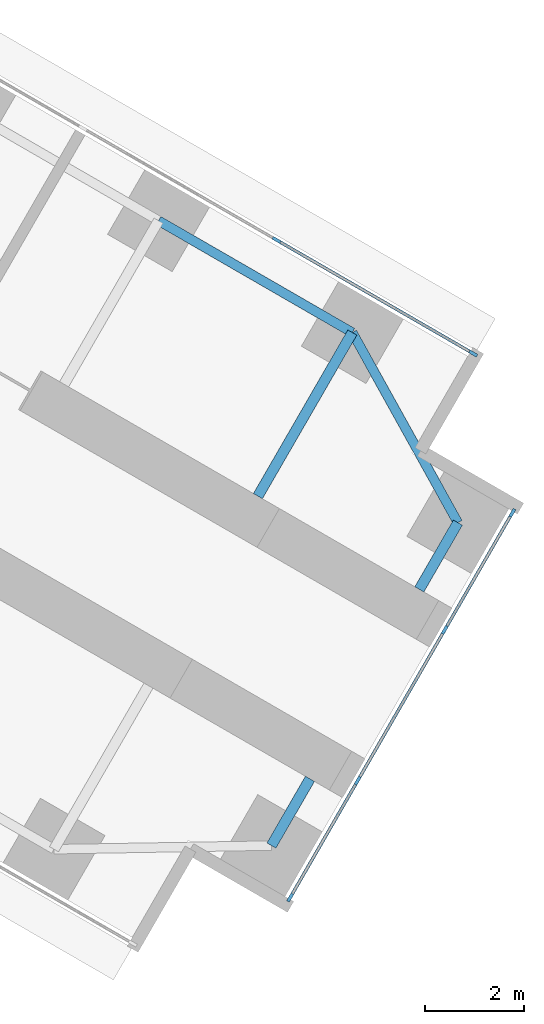
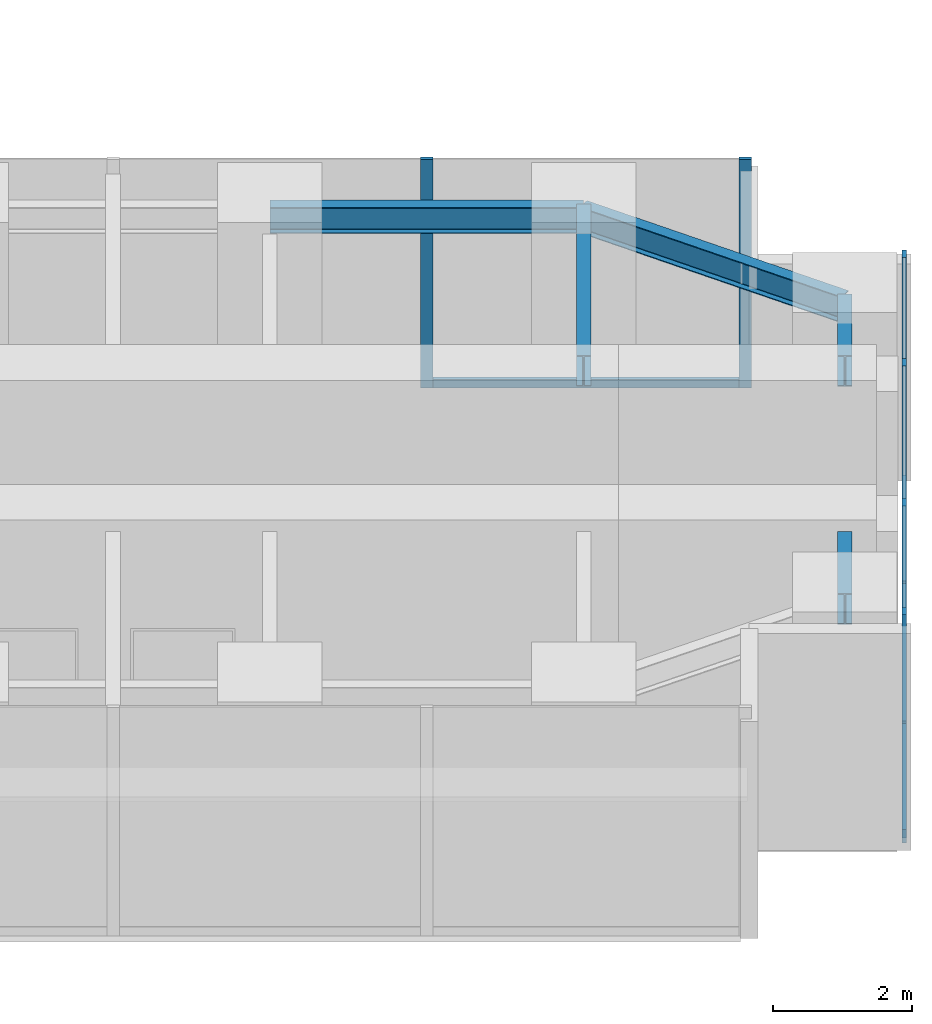
# One storey, part 12 of 22: 10 members, 5 beams, 2 elements without a shape of their own.
"""IFC4 building model written with IfcOpenShell, lengths in metres."""

from ifc_helpers import new_model, si_unit, direction, frame, origin, origin_2d, place, context, subcontext, project, spatial, rectangle, i_section, extrude, material, material_profile, profile_set, type_object, element, aggregate, save


model = new_model("IFC4")

# Units and contexts
model_context = context("Model", 3, precision=1e-05, world=origin(), true_north=direction((0.0, 1.0)))
body_context = subcontext(model_context, "Body", "Model", "MODEL_VIEW")
ifc_project = project(units=[si_unit("LENGTHUNIT", "METRE"), si_unit("AREAUNIT", "SQUARE_METRE"), si_unit("VOLUMEUNIT", "CUBIC_METRE"), si_unit("PLANEANGLEUNIT", "RADIAN"), si_unit("MASSUNIT", "GRAM", prefix="KILO")], contexts=[model_context])

# Site, building, storey
site_placement = place(None, origin())
site = spatial("IfcSite", under=ifc_project, at=site_placement, CompositionType="ELEMENT")
building_placement = place(site_placement, origin())
building = spatial("IfcBuilding", under=site, at=building_placement, Name="Upepo Twin Towers", CompositionType="ELEMENT")
storey_placement = place(building_placement, frame((0.0, 0.0, 44.5)))
storey = spatial("IfcBuildingStorey", under=building, at=storey_placement, Name="L10", CompositionType="ELEMENT", Elevation=44.5)

# Beams
ifc_material_1 = material(Name="Steel S355", Category="steel")
ifc_material_profile_1 = material_profile(ifc_material_1, i_section(OverallWidth=0.1904296875, OverallDepth=0.45703125, WebThickness=0.009033203125, FlangeThickness=0.014404296875, FilletRadius=0.01025390625, at=origin_2d()), Name="UB 457x191x74")
ifc_profile_set_1 = profile_set([ifc_material_profile_1], Name="Steel S355")
beam_type_1 = type_object("IfcBeamType", Name="Beam UB 457x191x74", PredefinedType="BEAM", material=ifc_profile_set_1)
beam_1_placement = place(storey_placement, frame((77.08837890625, -21.803955078125, 3.571533203125), z_axis=(0.866031096941, -0.499990139034, 0.0), x_axis=(0.499990139034, 0.866031096941, 0.0)))
element("IfcBeam", 1, at=beam_1_placement, inside=storey, type_object=beam_type_1, Name="T2 edge beam CL 18.0-22.5", PredefinedType="BEAM", context=body_context, shape_type="SweptSolid", body=[
    extrude(i_section(OverallWidth=0.1904296875, OverallDepth=0.45703125, WebThickness=0.009033203125, FlangeThickness=0.014404296875, FilletRadius=0.01025390625, at=origin_2d()), origin(), (0.0, 0.0, 1.0), 4.5),
])
beam_2_placement = place(storey_placement, frame((80.985595703125, -24.053955078125, 3.571533203125), z_axis=(0.485363242752, -0.874312600038, 0.0), x_axis=(0.874312600038, 0.485363242752, 0.0)))
element("IfcBeam", 2, at=beam_2_placement, inside=storey, type_object=beam_type_1, Name="T2 nose edge beam CL", PredefinedType="BEAM", context=body_context, shape_type="SweptSolid", body=[
    extrude(i_section(OverallWidth=0.1904296875, OverallDepth=0.45703125, WebThickness=0.009033203125, FlangeThickness=0.014404296875, FilletRadius=0.01025390625, at=origin_2d()), origin(), (0.0, 0.0, 1.0), 4.373046875),
])
ifc_material_2 = material(Name="Steel S355", Category="steel")
ifc_material_profile_2 = material_profile(ifc_material_2, i_section(OverallWidth=0.2099609375, OverallDepth=0.53662109375, WebThickness=0.0107421875, FlangeThickness=0.017333984375, FilletRadius=0.0126953125, at=origin_2d()), Name="UB 533x210x101")
ifc_profile_set_2 = profile_set([ifc_material_profile_2], Name="Steel S355")
beam_type_2 = type_object("IfcBeamType", Name="Beam UB 533x210x101", PredefinedType="BEAM", material=ifc_profile_set_2)
for number, where, z_axis, x_axis, name in (
    (3, (83.108154296875, -27.87744140625, 3.53173828125), (-0.499967891604, -0.866043940782, 0.0), (0.866043940782, -0.499967891604, 0.0), "T2 nose beam CL"),
    (4, (79.358154296875, -34.37255859375, 3.53173828125), (0.499967891604, 0.866043940782, 0.0), (-0.866043940782, 0.499967891604, 0.0), "T2 nose beam CR"),
):
    element("IfcBeam", number, at=place(storey_placement, frame(where, z_axis=z_axis, x_axis=x_axis)), inside=storey, type_object=beam_type_2, Name=name, PredefinedType="BEAM", context=body_context, shape_type="SweptSolid", body=[
        extrude(i_section(OverallWidth=0.2099609375, OverallDepth=0.53662109375, WebThickness=0.0107421875, FlangeThickness=0.017333984375, FilletRadius=0.0126953125, at=origin_2d()), origin(), (0.0, 0.0, 1.0), 1.5498046875),
    ])
ifc_material_3 = material(Name="Steel S355", Category="steel")
ifc_material_profile_3 = material_profile(ifc_material_3, i_section(OverallWidth=0.209228515625, OverallDepth=0.533203125, WebThickness=0.010009765625, FlangeThickness=0.015625, FilletRadius=0.0126953125, at=origin_2d()), Name="UB 533x210x92")
ifc_profile_set_3 = profile_set([ifc_material_profile_3], Name="Steel S355")
beam_type_3 = type_object("IfcBeamType", Name="Beam UB 533x210x92", PredefinedType="BEAM", material=ifc_profile_set_3)
beam_3_placement = place(storey_placement, frame((80.985595703125, -24.053955078125, 3.533447265625), z_axis=(-0.499994975061, -0.866028304915, 0.0), x_axis=(0.866028304915, -0.499994975061, 0.0)))
element("IfcBeam", 5, at=beam_3_placement, inside=storey, type_object=beam_type_3, Name="T2 girder CL at 22.5", PredefinedType="BEAM", context=body_context, shape_type="SweptSolid", body=[
    extrude(i_section(OverallWidth=0.209228515625, OverallDepth=0.533203125, WebThickness=0.010009765625, FlangeThickness=0.015625, FilletRadius=0.0126953125, at=origin_2d()), origin(), (0.0, 0.0, 1.0), 3.7998046875),
])

# Curtain wall, members
ifc_material_4 = material(Name="Aluminium and fritted glass", Category="aluminium")
curtain_wall_type = type_object("IfcCurtainWallType", Name="Tower curtain wall TW1, fritted glass", PredefinedType="NOTDEFINED", material=ifc_material_4)
curtain_wall_1_placement = place(storey_placement, origin())
curtain_wall_1 = element("IfcCurtainWall", 6, at=curtain_wall_1_placement, inside=storey, type_object=curtain_wall_type, Name="T2 L10 wing C flank L curtain wall", PredefinedType="NOTDEFINED")
ifc_material_5 = material(Name="Aluminium mullion", Category="aluminium")
ifc_material_profile_4 = material_profile(ifc_material_5, rectangle(XDim=0.06494140625, YDim=0.179931640625, at=origin_2d()), Name="MULLION 65x180")
ifc_profile_set_4 = profile_set([ifc_material_profile_4], Name="Aluminium mullion")
member_type_1 = type_object("IfcMemberType", Name="Mullion 65x180 TW1", PredefinedType="MULLION", material=ifc_profile_set_4)
member_1_placement = place(storey_placement, frame((79.4619140625, -22.192626953125, 0.0), z_axis=(0.0, 0.0, 1.0), x_axis=(0.500000024426, 0.866025389682, 0.0)))
member_1 = element("IfcMember", 7, at=member_1_placement, type_object=member_type_1, Name="T2 L10 wing C flank L curtain wall mullion 3", PredefinedType="MULLION", context=body_context, shape_type="SweptSolid", body=[
    extrude(rectangle(XDim=0.06494140625, YDim=0.179931640625, at=origin_2d()), origin(), (0.0, 0.0, 1.0), 4.0),
])
member_2_placement = place(storey_placement, frame((83.41748046875, -24.4765625, 0.0), z_axis=(0.0, 0.0, 1.0), x_axis=(0.500000024426, 0.866025389682, 0.0)))
member_2 = element("IfcMember", 8, at=member_2_placement, type_object=member_type_1, Name="T2 L10 wing C flank L curtain wall mullion 4", PredefinedType="MULLION", context=body_context, shape_type="SweptSolid", body=[
    extrude(rectangle(XDim=0.06494140625, YDim=0.179931640625, at=origin_2d()), origin(), (0.0, 0.0, 1.0), 4.0),
])

curtain_wall_2_placement = place(storey_placement, origin())
curtain_wall_2 = element("IfcCurtainWall", 9, at=curtain_wall_2_placement, inside=storey, type_object=curtain_wall_type, Name="T2 L10 wing C nose curtain wall", PredefinedType="NOTDEFINED")
member_3_placement = place(storey_placement, frame((79.735595703125, -35.4189453125, 0.0), z_axis=(0.0, 0.0, 1.0), x_axis=(-0.866025386174, 0.500000030502, 0.0)))
member_3 = element("IfcMember", 10, at=member_3_placement, type_object=member_type_1, Name="T2 L10 wing C nose curtain wall mullion 1", PredefinedType="MULLION", context=body_context, shape_type="SweptSolid", body=[
    extrude(rectangle(XDim=0.06494140625, YDim=0.179931640625, at=origin_2d()), origin(), (0.0, 0.0, 1.0), 4.0),
])
member_4_placement = place(storey_placement, frame((81.09423828125, -33.0654296875, 0.0), z_axis=(0.0, 0.0, 1.0), x_axis=(-0.866025386174, 0.500000030502, 0.0)))
member_4 = element("IfcMember", 11, at=member_4_placement, type_object=member_type_1, Name="T2 L10 wing C nose curtain wall mullion 2", PredefinedType="MULLION", context=body_context, shape_type="SweptSolid", body=[
    extrude(rectangle(XDim=0.06494140625, YDim=0.179931640625, at=origin_2d()), origin(), (0.0, 0.0, 1.0), 4.0),
])
member_5_placement = place(storey_placement, frame((82.84423828125, -30.034423828125, 0.0), z_axis=(0.0, 0.0, 1.0), x_axis=(-0.866025386174, 0.500000030502, 0.0)))
member_5 = element("IfcMember", 12, at=member_5_placement, type_object=member_type_1, Name="T2 L10 wing C nose curtain wall mullion 3", PredefinedType="MULLION", context=body_context, shape_type="SweptSolid", body=[
    extrude(rectangle(XDim=0.06494140625, YDim=0.179931640625, at=origin_2d()), origin(), (0.0, 0.0, 1.0), 4.0),
])
member_6_placement = place(storey_placement, frame((84.203125, -27.68115234375, 0.0), z_axis=(0.0, 0.0, 1.0), x_axis=(-0.866025386174, 0.500000030502, 0.0)))
member_6 = element("IfcMember", 13, at=member_6_placement, type_object=member_type_1, Name="T2 L10 wing C nose curtain wall mullion 4", PredefinedType="MULLION", context=body_context, shape_type="SweptSolid", body=[
    extrude(rectangle(XDim=0.06494140625, YDim=0.179931640625, at=origin_2d()), origin(), (0.0, 0.0, 1.0), 4.0),
])

# Member
ifc_material_6 = material(Name="Aluminium transom", Category="aluminium")
ifc_material_profile_5 = material_profile(ifc_material_6, rectangle(XDim=0.06494140625, YDim=0.14990234375, at=origin_2d()), Name="TRANSOM 65x150")
ifc_profile_set_5 = profile_set([ifc_material_profile_5], Name="Aluminium transom")
member_type_2 = type_object("IfcMemberType", Name="Transom 65x150 TW1", PredefinedType="USERDEFINED", material=ifc_profile_set_5)
member_7_placement = place(storey_placement, frame((79.490234375, -22.208984375, 0.074951171875), z_axis=(0.866022143554, -0.500005646842, 0.0), x_axis=(0.500005646842, 0.866022143554, 0.0)))
member_7 = element("IfcMember", 14, at=member_7_placement, type_object=member_type_2, Name="T2 L10 wing C flank L curtain wall transom 3", ObjectType="TRANSOM", PredefinedType="USERDEFINED", context=body_context, shape_type="SweptSolid", body=[
    extrude(rectangle(XDim=0.06494140625, YDim=0.14990234375, at=origin_2d()), origin(), (0.0, 0.0, 1.0), 4.50244140625),
])

aggregate(curtain_wall_1, [member_1, member_2, member_7])

member_8_placement = place(storey_placement, frame((79.751708984375, -35.390869140625, 0.074951171875), z_axis=(0.500049101008, 0.865997053448, 0.0), x_axis=(-0.865997053448, 0.500049101008, 0.0)))
member_8 = element("IfcMember", 15, at=member_8_placement, type_object=member_type_2, Name="T2 L10 wing C nose curtain wall transom 1", ObjectType="TRANSOM", PredefinedType="USERDEFINED", context=body_context, shape_type="SweptSolid", body=[
    extrude(rectangle(XDim=0.06494140625, YDim=0.14990234375, at=origin_2d()), origin(), (0.0, 0.0, 1.0), 2.652587890625),
])

member_9_placement = place(storey_placement, frame((81.110595703125, -33.037353515625, 0.074951171875), z_axis=(0.499999305434, 0.866025804792, 0.0), x_axis=(-0.866025804792, 0.499999305434, 0.0)))
member_9 = element("IfcMember", 16, at=member_9_placement, type_object=member_type_2, Name="T2 L10 wing C nose curtain wall transom 2", ObjectType="TRANSOM", PredefinedType="USERDEFINED", context=body_context, shape_type="SweptSolid", body=[
    extrude(rectangle(XDim=0.06494140625, YDim=0.14990234375, at=origin_2d()), origin(), (0.0, 0.0, 1.0), 3.43505859375),
])

member_10_placement = place(storey_placement, frame((82.860595703125, -30.00634765625, 0.074951171875), z_axis=(0.499980071345, 0.866036909293, 0.0), x_axis=(-0.866036909293, 0.499980071345, 0.0)))
member_10 = element("IfcMember", 17, at=member_10_placement, type_object=member_type_2, Name="T2 L10 wing C nose curtain wall transom 3", ObjectType="TRANSOM", PredefinedType="USERDEFINED", context=body_context, shape_type="SweptSolid", body=[
    extrude(rectangle(XDim=0.06494140625, YDim=0.14990234375, at=origin_2d()), origin(), (0.0, 0.0, 1.0), 2.65234375),
])

aggregate(curtain_wall_2, [member_3, member_4, member_5, member_6, member_8, member_9, member_10])

save(model, "model.ifc")
